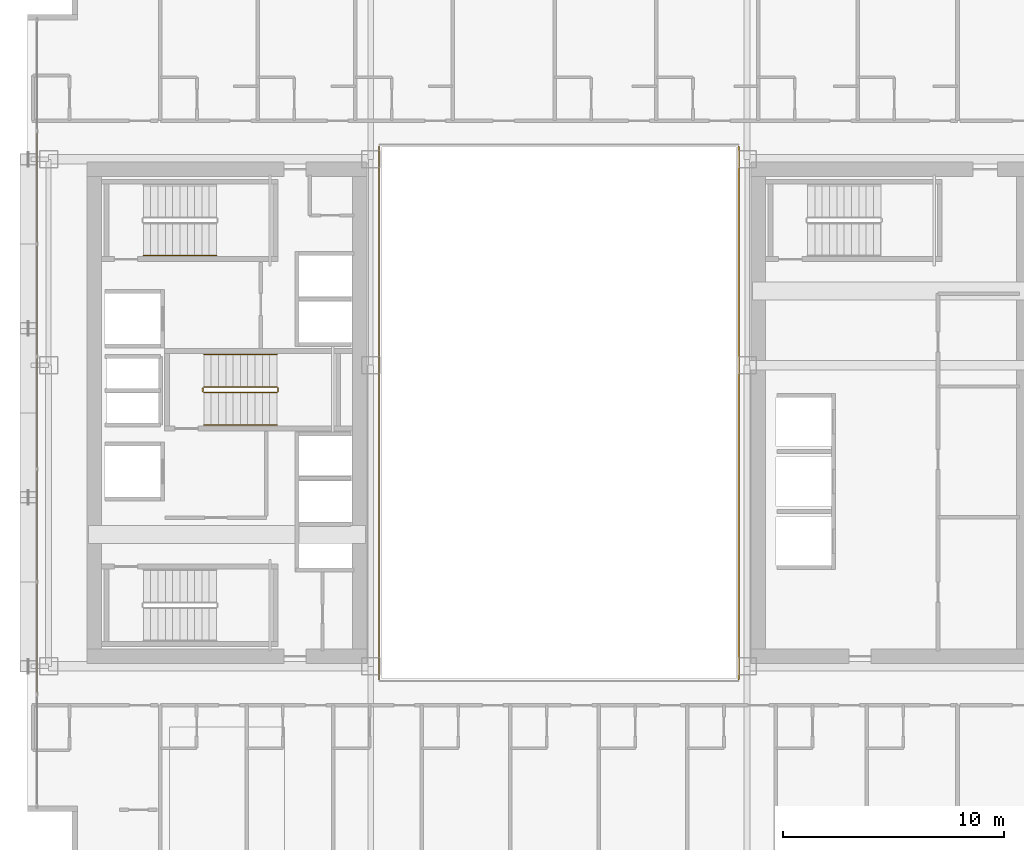
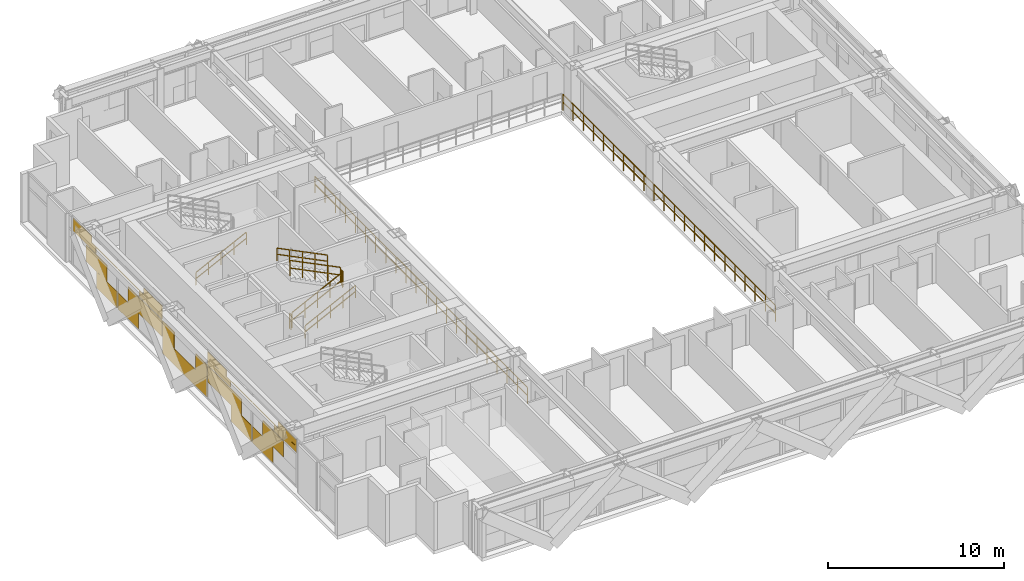
# One storey, part 34 of 36: 9 railings, 1 covering.
"""IFC4 building model written with IfcOpenShell, lengths in metres."""

from ifc_helpers import new_model, si_unit, direction, frame, origin, origin_2d, place, context, subcontext, project, spatial, rectangle, extrude, material, layer, layer_set, type_object, element, save


model = new_model("IFC4")

# Units and contexts
model_context = context("Model", 3, precision=1e-05, world=origin(), true_north=direction((0.0, 1.0)))
body_context = subcontext(model_context, "Body", "Model", "MODEL_VIEW")
ifc_project = project(units=[si_unit("LENGTHUNIT", "METRE"), si_unit("AREAUNIT", "SQUARE_METRE"), si_unit("VOLUMEUNIT", "CUBIC_METRE"), si_unit("PLANEANGLEUNIT", "RADIAN"), si_unit("MASSUNIT", "GRAM", prefix="KILO")], contexts=[model_context])

# Site, building, storey
site_placement = place(None, origin())
site = spatial("IfcSite", under=ifc_project, at=site_placement, CompositionType="ELEMENT")
building_placement = place(site_placement, origin())
building = spatial("IfcBuilding", under=site, at=building_placement, Name="Ocotamira Hotel", CompositionType="ELEMENT")
storey_placement = place(building_placement, frame((0.0, 0.0, 136.800048828125)))
storey = spatial("IfcBuildingStorey", under=building, at=storey_placement, Name="L34", CompositionType="ELEMENT", Elevation=136.800048828125)

# Covering
ifc_material_1 = material(Name="Insulated pale-metal aluminium spandrel panel", Category="aluminium")
ifc_layer = layer(ifc_material_1, 0.044921875)
ifc_layer_set = layer_set([ifc_layer], Name="Insulated pale-metal aluminium spandrel panel")
covering_type = type_object("IfcCoveringType", Name="COV-INFILL-45", PredefinedType="CLADDING", material=ifc_layer_set)
covering_placement = place(storey_placement, origin())
element("IfcCovering", 1, at=covering_placement, inside=storey, type_object=covering_type, Name="L34 Curtain Wall Infill CW-3 CW-L34-W", PredefinedType="CLADDING", context=body_context, shape_type="SweptSolid", body=[
    extrude(rectangle(XDim=2.35107421875, YDim=0.044921875, at=origin_2d()), frame((8.419921875, 15.988525390625, 1.19384765625), z_axis=(0.0, 0.0, 1.0), x_axis=(0.0, 1.0, 0.0)), (0.0, 0.0, 1.0), 1.117919921875),
    extrude(rectangle(XDim=2.331787109375, YDim=0.044921875, at=origin_2d()), frame((8.419921875, 17.1650390625, 0.0751953125), z_axis=(0.0, 0.0, 1.0), x_axis=(0.0, 1.0, 0.0)), (0.0, 0.0, 1.0), 1.117919921875),
    extrude(rectangle(XDim=2.572265625, YDim=0.044921875, at=origin_2d()), frame((8.419921875, 14.6123046875, 2.38818359375), z_axis=(0.0, 0.0, 1.0), x_axis=(0.0, 1.0, 0.0)), (0.0, 0.0, 1.0), 0.413330078125),
    extrude(rectangle(XDim=5.004638671875, YDim=0.044921875, at=origin_2d()), frame((8.419921875, 15.82861328125, 2.80224609375), z_axis=(0.0, 0.0, 1.0), x_axis=(0.0, 1.0, 0.0)), (0.0, 0.0, 1.0), 0.033203125),
    extrude(rectangle(XDim=2.096435546875, YDim=0.044921875, at=origin_2d()), frame((8.419921875, 14.37451171875, 2.836669921875), z_axis=(0.0, 0.0, 1.0), x_axis=(0.0, 1.0, 0.0)), (0.0, 0.0, 1.0), 0.44775390625),
    extrude(rectangle(XDim=2.322265625, YDim=0.044921875, at=origin_2d()), frame((8.419921875, 19.572998046875, 0.0751953125), z_axis=(0.0, 0.0, 1.0), x_axis=(0.0, 1.0, 0.0)), (0.0, 0.0, 1.0), 1.117919921875),
    extrude(rectangle(XDim=3.847412109375, YDim=0.044921875, at=origin_2d()), frame((8.419921875, 21.492919921875, 1.19384765625), z_axis=(0.0, 0.0, 1.0), x_axis=(0.0, 1.0, 0.0)), (0.0, 0.0, 1.0), 1.117919921875),
    extrude(rectangle(XDim=5.004638671875, YDim=0.044921875, at=origin_2d()), frame((8.419921875, 20.914306640625, 2.80224609375), z_axis=(0.0, 0.0, 1.0), x_axis=(0.0, 1.0, 0.0)), (0.0, 0.0, 1.0), 0.033203125),
    extrude(rectangle(XDim=2.581787109375, YDim=0.044921875, at=origin_2d()), frame((8.419921875, 22.125732421875, 2.38818359375), z_axis=(0.0, 0.0, 1.0), x_axis=(0.0, 1.0, 0.0)), (0.0, 0.0, 1.0), 0.413330078125),
    extrude(rectangle(XDim=2.106201171875, YDim=0.044921875, at=origin_2d()), frame((8.419921875, 22.363525390625, 2.836669921875), z_axis=(0.0, 0.0, 1.0), x_axis=(0.0, 1.0, 0.0)), (0.0, 0.0, 1.0), 0.44775390625),
    extrude(rectangle(XDim=5.004638671875, YDim=0.044921875, at=origin_2d()), frame((8.419921875, 26.0, 0.0751953125), z_axis=(0.0, 0.0, 1.0), x_axis=(0.0, 1.0, 0.0)), (0.0, 0.0, 1.0), 1.117919921875),
    extrude(rectangle(XDim=1.2998046875, YDim=0.044921875, at=origin_2d()), frame((8.419921875, 24.1474609375, 1.19384765625), z_axis=(0.0, 0.0, 1.0), x_axis=(0.0, 1.0, 0.0)), (0.0, 0.0, 1.0), 1.117919921875),
    extrude(rectangle(XDim=1.2998046875, YDim=0.044921875, at=origin_2d()), frame((8.419921875, 27.8525390625, 1.19384765625), z_axis=(0.0, 0.0, 1.0), x_axis=(0.0, 1.0, 0.0)), (0.0, 0.0, 1.0), 1.117919921875),
    extrude(rectangle(XDim=3.847412109375, YDim=0.044921875, at=origin_2d()), frame((8.419921875, 30.507080078125, 1.19384765625), z_axis=(0.0, 0.0, 1.0), x_axis=(0.0, 1.0, 0.0)), (0.0, 0.0, 1.0), 1.117919921875),
    extrude(rectangle(XDim=2.322265625, YDim=0.044921875, at=origin_2d()), frame((8.419921875, 32.427001953125, 0.0751953125), z_axis=(0.0, 0.0, 1.0), x_axis=(0.0, 1.0, 0.0)), (0.0, 0.0, 1.0), 1.117919921875),
    extrude(rectangle(XDim=2.581787109375, YDim=0.044921875, at=origin_2d()), frame((8.419921875, 29.874267578125, 2.38818359375), z_axis=(0.0, 0.0, 1.0), x_axis=(0.0, 1.0, 0.0)), (0.0, 0.0, 1.0), 0.413330078125),
    extrude(rectangle(XDim=5.004638671875, YDim=0.044921875, at=origin_2d()), frame((8.419921875, 31.085693359375, 2.80224609375), z_axis=(0.0, 0.0, 1.0), x_axis=(0.0, 1.0, 0.0)), (0.0, 0.0, 1.0), 0.033203125),
    extrude(rectangle(XDim=2.106201171875, YDim=0.044921875, at=origin_2d()), frame((8.419921875, 29.636474609375, 2.836669921875), z_axis=(0.0, 0.0, 1.0), x_axis=(0.0, 1.0, 0.0)), (0.0, 0.0, 1.0), 0.44775390625),
    extrude(rectangle(XDim=2.331787109375, YDim=0.044921875, at=origin_2d()), frame((8.419921875, 34.8349609375, 0.0751953125), z_axis=(0.0, 0.0, 1.0), x_axis=(0.0, 1.0, 0.0)), (0.0, 0.0, 1.0), 1.117919921875),
    extrude(rectangle(XDim=2.35107421875, YDim=0.044921875, at=origin_2d()), frame((8.419921875, 36.011474609375, 1.19384765625), z_axis=(0.0, 0.0, 1.0), x_axis=(0.0, 1.0, 0.0)), (0.0, 0.0, 1.0), 1.117919921875),
    extrude(rectangle(XDim=5.004638671875, YDim=0.044921875, at=origin_2d()), frame((8.419921875, 36.17138671875, 2.80224609375), z_axis=(0.0, 0.0, 1.0), x_axis=(0.0, 1.0, 0.0)), (0.0, 0.0, 1.0), 0.033203125),
    extrude(rectangle(XDim=2.572265625, YDim=0.044921875, at=origin_2d()), frame((8.419921875, 37.3876953125, 2.38818359375), z_axis=(0.0, 0.0, 1.0), x_axis=(0.0, 1.0, 0.0)), (0.0, 0.0, 1.0), 0.413330078125),
    extrude(rectangle(XDim=2.096435546875, YDim=0.044921875, at=origin_2d()), frame((8.419921875, 37.62548828125, 2.836669921875), z_axis=(0.0, 0.0, 1.0), x_axis=(0.0, 1.0, 0.0)), (0.0, 0.0, 1.0), 0.44775390625),
])

# Railings
ifc_material_2 = material(Name="Painted steel stair guardrail", Category="steel")
railing_type_1 = type_object("IfcRailingType", Name="RL-EDGE-1150", PredefinedType="GUARDRAIL", material=ifc_material_2)
railing_1_placement = place(storey_placement, frame((40.1201171875, 13.9599609375, 0.0)))
element("IfcRailing", 2, at=railing_1_placement, inside=storey, type_object=railing_type_1, Name="L34 Central Atrium Edge Guardrail E", PredefinedType="GUARDRAIL", context=body_context, shape_type="SweptSolid", body=[
    extrude(rectangle(XDim=0.048095703125, YDim=0.048095703125, at=origin_2d()), frame((0.0, 0.0, 1.1259765625), z_axis=(0.0, 1.0, 0.0), x_axis=(-1.0, 0.0, 0.0)), (0.0, 0.0, 1.0), 24.080078125),
    extrude(rectangle(XDim=0.048095703125, YDim=0.048095703125, at=origin_2d()), frame((0.0, 0.0, 0.574951171875), z_axis=(0.0, 1.0, 0.0), x_axis=(-1.0, 0.0, 0.0)), (0.0, 0.0, 1.0), 24.080078125),
    extrude(rectangle(XDim=0.0419921875, YDim=0.0419921875, at=origin_2d()), origin(), (0.0, 0.0, 1.0), 1.101806640625),
    extrude(rectangle(XDim=0.0419921875, YDim=0.0419921875, at=origin_2d()), frame((0.0, 1.146728515625, 0.0)), (0.0, 0.0, 1.0), 1.101806640625),
    extrude(rectangle(XDim=0.0419921875, YDim=0.0419921875, at=origin_2d()), frame((0.0, 2.29345703125, 0.0)), (0.0, 0.0, 1.0), 1.101806640625),
    extrude(rectangle(XDim=0.0419921875, YDim=0.0419921875, at=origin_2d()), frame((0.0, 3.43994140625, 0.0)), (0.0, 0.0, 1.0), 1.101806640625),
    extrude(rectangle(XDim=0.0419921875, YDim=0.0419921875, at=origin_2d()), frame((0.0, 4.586669921875, 0.0)), (0.0, 0.0, 1.0), 1.101806640625),
    extrude(rectangle(XDim=0.0419921875, YDim=0.0419921875, at=origin_2d()), frame((0.0, 5.7333984375, 0.0)), (0.0, 0.0, 1.0), 1.101806640625),
    extrude(rectangle(XDim=0.0419921875, YDim=0.0419921875, at=origin_2d()), frame((0.0, 6.880126953125, 0.0)), (0.0, 0.0, 1.0), 1.101806640625),
    extrude(rectangle(XDim=0.0419921875, YDim=0.0419921875, at=origin_2d()), frame((0.0, 8.026611328125, 0.0)), (0.0, 0.0, 1.0), 1.101806640625),
    extrude(rectangle(XDim=0.0419921875, YDim=0.0419921875, at=origin_2d()), frame((0.0, 9.17333984375, 0.0)), (0.0, 0.0, 1.0), 1.101806640625),
    extrude(rectangle(XDim=0.0419921875, YDim=0.0419921875, at=origin_2d()), frame((0.0, 10.320068359375, 0.0)), (0.0, 0.0, 1.0), 1.101806640625),
    extrude(rectangle(XDim=0.0419921875, YDim=0.0419921875, at=origin_2d()), frame((0.0, 11.466796875, 0.0)), (0.0, 0.0, 1.0), 1.101806640625),
    extrude(rectangle(XDim=0.0419921875, YDim=0.0419921875, at=origin_2d()), frame((0.0, 12.61328125, 0.0)), (0.0, 0.0, 1.0), 1.101806640625),
    extrude(rectangle(XDim=0.0419921875, YDim=0.0419921875, at=origin_2d()), frame((0.0, 13.760009765625, 0.0)), (0.0, 0.0, 1.0), 1.101806640625),
    extrude(rectangle(XDim=0.0419921875, YDim=0.0419921875, at=origin_2d()), frame((0.0, 14.90673828125, 0.0)), (0.0, 0.0, 1.0), 1.101806640625),
    extrude(rectangle(XDim=0.0419921875, YDim=0.0419921875, at=origin_2d()), frame((0.0, 16.053466796875, 0.0)), (0.0, 0.0, 1.0), 1.101806640625),
    extrude(rectangle(XDim=0.0419921875, YDim=0.0419921875, at=origin_2d()), frame((0.0, 17.199951171875, 0.0)), (0.0, 0.0, 1.0), 1.101806640625),
    extrude(rectangle(XDim=0.0419921875, YDim=0.0419921875, at=origin_2d()), frame((0.0, 18.3466796875, 0.0)), (0.0, 0.0, 1.0), 1.101806640625),
    extrude(rectangle(XDim=0.0419921875, YDim=0.0419921875, at=origin_2d()), frame((0.0, 19.493408203125, 0.0)), (0.0, 0.0, 1.0), 1.101806640625),
    extrude(rectangle(XDim=0.0419921875, YDim=0.0419921875, at=origin_2d()), frame((0.0, 20.64013671875, 0.0)), (0.0, 0.0, 1.0), 1.101806640625),
    extrude(rectangle(XDim=0.0419921875, YDim=0.0419921875, at=origin_2d()), frame((0.0, 21.78662109375, 0.0)), (0.0, 0.0, 1.0), 1.101806640625),
    extrude(rectangle(XDim=0.0419921875, YDim=0.0419921875, at=origin_2d()), frame((0.0, 22.933349609375, 0.0)), (0.0, 0.0, 1.0), 1.101806640625),
    extrude(rectangle(XDim=0.0419921875, YDim=0.0419921875, at=origin_2d()), frame((0.0, 24.080078125, 0.0)), (0.0, 0.0, 1.0), 1.101806640625),
])
railing_2_placement = place(storey_placement, frame((23.8798828125, 38.0400390625, 0.0)))
element("IfcRailing", 3, at=railing_2_placement, inside=storey, type_object=railing_type_1, Name="L34 Central Atrium Edge Guardrail W", PredefinedType="GUARDRAIL", context=body_context, shape_type="SweptSolid", body=[
    extrude(rectangle(XDim=0.048095703125, YDim=0.048095703125, at=origin_2d()), frame((0.0, 0.0, 1.1259765625), z_axis=(0.0, -1.0, 0.0), x_axis=(1.0, 0.0, 0.0)), (0.0, 0.0, 1.0), 24.080078125),
    extrude(rectangle(XDim=0.048095703125, YDim=0.048095703125, at=origin_2d()), frame((0.0, 0.0, 0.574951171875), z_axis=(0.0, -1.0, 0.0), x_axis=(1.0, 0.0, 0.0)), (0.0, 0.0, 1.0), 24.080078125),
    extrude(rectangle(XDim=0.0419921875, YDim=0.0419921875, at=origin_2d()), origin(), (0.0, 0.0, 1.0), 1.101806640625),
    extrude(rectangle(XDim=0.0419921875, YDim=0.0419921875, at=origin_2d()), frame((0.0, -1.146728515625, 0.0)), (0.0, 0.0, 1.0), 1.101806640625),
    extrude(rectangle(XDim=0.0419921875, YDim=0.0419921875, at=origin_2d()), frame((0.0, -2.29345703125, 0.0)), (0.0, 0.0, 1.0), 1.101806640625),
    extrude(rectangle(XDim=0.0419921875, YDim=0.0419921875, at=origin_2d()), frame((0.0, -3.43994140625, 0.0)), (0.0, 0.0, 1.0), 1.101806640625),
    extrude(rectangle(XDim=0.0419921875, YDim=0.0419921875, at=origin_2d()), frame((0.0, -4.586669921875, 0.0)), (0.0, 0.0, 1.0), 1.101806640625),
    extrude(rectangle(XDim=0.0419921875, YDim=0.0419921875, at=origin_2d()), frame((0.0, -5.7333984375, 0.0)), (0.0, 0.0, 1.0), 1.101806640625),
    extrude(rectangle(XDim=0.0419921875, YDim=0.0419921875, at=origin_2d()), frame((0.0, -6.880126953125, 0.0)), (0.0, 0.0, 1.0), 1.101806640625),
    extrude(rectangle(XDim=0.0419921875, YDim=0.0419921875, at=origin_2d()), frame((0.0, -8.026611328125, 0.0)), (0.0, 0.0, 1.0), 1.101806640625),
    extrude(rectangle(XDim=0.0419921875, YDim=0.0419921875, at=origin_2d()), frame((0.0, -9.17333984375, 0.0)), (0.0, 0.0, 1.0), 1.101806640625),
    extrude(rectangle(XDim=0.0419921875, YDim=0.0419921875, at=origin_2d()), frame((0.0, -10.320068359375, 0.0)), (0.0, 0.0, 1.0), 1.101806640625),
    extrude(rectangle(XDim=0.0419921875, YDim=0.0419921875, at=origin_2d()), frame((0.0, -11.466796875, 0.0)), (0.0, 0.0, 1.0), 1.101806640625),
    extrude(rectangle(XDim=0.0419921875, YDim=0.0419921875, at=origin_2d()), frame((0.0, -12.61328125, 0.0)), (0.0, 0.0, 1.0), 1.101806640625),
    extrude(rectangle(XDim=0.0419921875, YDim=0.0419921875, at=origin_2d()), frame((0.0, -13.760009765625, 0.0)), (0.0, 0.0, 1.0), 1.101806640625),
    extrude(rectangle(XDim=0.0419921875, YDim=0.0419921875, at=origin_2d()), frame((0.0, -14.90673828125, 0.0)), (0.0, 0.0, 1.0), 1.101806640625),
    extrude(rectangle(XDim=0.0419921875, YDim=0.0419921875, at=origin_2d()), frame((0.0, -16.053466796875, 0.0)), (0.0, 0.0, 1.0), 1.101806640625),
    extrude(rectangle(XDim=0.0419921875, YDim=0.0419921875, at=origin_2d()), frame((0.0, -17.199951171875, 0.0)), (0.0, 0.0, 1.0), 1.101806640625),
    extrude(rectangle(XDim=0.0419921875, YDim=0.0419921875, at=origin_2d()), frame((0.0, -18.3466796875, 0.0)), (0.0, 0.0, 1.0), 1.101806640625),
    extrude(rectangle(XDim=0.0419921875, YDim=0.0419921875, at=origin_2d()), frame((0.0, -19.493408203125, 0.0)), (0.0, 0.0, 1.0), 1.101806640625),
    extrude(rectangle(XDim=0.0419921875, YDim=0.0419921875, at=origin_2d()), frame((0.0, -20.64013671875, 0.0)), (0.0, 0.0, 1.0), 1.101806640625),
    extrude(rectangle(XDim=0.0419921875, YDim=0.0419921875, at=origin_2d()), frame((0.0, -21.78662109375, 0.0)), (0.0, 0.0, 1.0), 1.101806640625),
    extrude(rectangle(XDim=0.0419921875, YDim=0.0419921875, at=origin_2d()), frame((0.0, -22.933349609375, 0.0)), (0.0, 0.0, 1.0), 1.101806640625),
    extrude(rectangle(XDim=0.0419921875, YDim=0.0419921875, at=origin_2d()), frame((0.0, -24.080078125, 0.0)), (0.0, 0.0, 1.0), 1.101806640625),
])
ifc_material_3 = material(Name="Brushed stainless steel handrail", Category="steel")
railing_type_2 = type_object("IfcRailingType", Name="RL-HAND-900", PredefinedType="HANDRAIL", material=ifc_material_3)
for number, where, name in (
    (4, (13.22998046875, 33.10009765625, 0.3271484375), "L34 ST-2 stair handrail 1"),
    (5, (15.9599609375, 25.449951171875, 0.3271484375), "L34 ST-3 stair handrail 1"),
):
    element("IfcRailing", number, at=place(storey_placement, frame(where)), inside=storey, type_object=railing_type_2, Name=name, PredefinedType="HANDRAIL", context=body_context, shape_type="SweptSolid", body=[
        extrude(rectangle(XDim=0.048095703125, YDim=0.048095703125, at=origin_2d()), frame((0.0, 0.0, 0.8759765625), z_axis=(0.895893744519, 0.0, 0.4442683857), x_axis=(0.0, 1.0, 0.0)), (0.0, 0.0, 1.0), 3.68359375),
        extrude(rectangle(XDim=0.048095703125, YDim=0.048095703125, at=origin_2d()), frame((0.0, 0.0, 0.449951171875), z_axis=(0.895893744519, 0.0, 0.4442683857), x_axis=(0.0, 1.0, 0.0)), (0.0, 0.0, 1.0), 3.68359375),
        extrude(rectangle(XDim=0.0419921875, YDim=0.0419921875, at=origin_2d()), origin(), (0.0, 0.0, 1.0), 0.851806640625),
        extrude(rectangle(XDim=0.0419921875, YDim=0.0419921875, at=origin_2d()), frame((0.824951171875, 0.0, 0.4091796875)), (0.0, 0.0, 1.0), 0.851806640625),
        extrude(rectangle(XDim=0.0419921875, YDim=0.0419921875, at=origin_2d()), frame((1.64990234375, 0.0, 0.818359375)), (0.0, 0.0, 1.0), 0.851806640625),
        extrude(rectangle(XDim=0.0419921875, YDim=0.0419921875, at=origin_2d()), frame((2.47509765625, 0.0, 1.227294921875)), (0.0, 0.0, 1.0), 0.851806640625),
        extrude(rectangle(XDim=0.0419921875, YDim=0.0419921875, at=origin_2d()), frame((3.300048828125, 0.0, 1.636474609375)), (0.0, 0.0, 1.0), 0.851806640625),
    ])
railing_3_placement = place(storey_placement, frame((19.260009765625, 28.6298828125, 2.127197265625)))
element("IfcRailing", 6, at=railing_3_placement, inside=storey, type_object=railing_type_2, Name="L34 ST-3 stair handrail 2", PredefinedType="HANDRAIL", context=body_context, shape_type="SweptSolid", body=[
    extrude(rectangle(XDim=0.048095703125, YDim=0.048095703125, at=origin_2d()), frame((0.0, 0.0, 0.8759765625), z_axis=(-0.895893744519, 0.0, 0.4442683857), x_axis=(0.0, -1.0, 0.0)), (0.0, 0.0, 1.0), 3.68359375),
    extrude(rectangle(XDim=0.048095703125, YDim=0.048095703125, at=origin_2d()), frame((0.0, 0.0, 0.449951171875), z_axis=(-0.895893744519, 0.0, 0.4442683857), x_axis=(0.0, -1.0, 0.0)), (0.0, 0.0, 1.0), 3.68359375),
    extrude(rectangle(XDim=0.0419921875, YDim=0.0419921875, at=origin_2d()), origin(), (0.0, 0.0, 1.0), 0.851806640625),
    extrude(rectangle(XDim=0.0419921875, YDim=0.0419921875, at=origin_2d()), frame((-0.824951171875, 0.0, 0.4091796875)), (0.0, 0.0, 1.0), 0.851806640625),
    extrude(rectangle(XDim=0.0419921875, YDim=0.0419921875, at=origin_2d()), frame((-1.64990234375, 0.0, 0.818359375)), (0.0, 0.0, 1.0), 0.851806640625),
    extrude(rectangle(XDim=0.0419921875, YDim=0.0419921875, at=origin_2d()), frame((-2.47509765625, 0.0, 1.227294921875)), (0.0, 0.0, 1.0), 0.851806640625),
    extrude(rectangle(XDim=0.0419921875, YDim=0.0419921875, at=origin_2d()), frame((-3.300048828125, 0.0, 1.636474609375)), (0.0, 0.0, 1.0), 0.851806640625),
])
railing_type_3 = type_object("IfcRailingType", Name="RL-STAIR-1100", PredefinedType="GUARDRAIL", material=ifc_material_2)
railing_4_placement = place(storey_placement, frame((15.9599609375, 26.909912109375, 0.16357421875)))
element("IfcRailing", 7, at=railing_4_placement, inside=storey, type_object=railing_type_3, Name="L34 ST-3 stair guard 1", PredefinedType="GUARDRAIL", context=body_context, shape_type="SweptSolid", body=[
    extrude(rectangle(XDim=0.048095703125, YDim=0.048095703125, at=origin_2d()), frame((0.0, 0.0, 1.076171875), z_axis=(0.895893744519, 0.0, 0.4442683857), x_axis=(0.0, 1.0, 0.0)), (0.0, 0.0, 1.0), 3.68359375),
    extrude(rectangle(XDim=0.048095703125, YDim=0.048095703125, at=origin_2d()), frame((0.0, 0.0, 0.550048828125), z_axis=(0.895893744519, 0.0, 0.4442683857), x_axis=(0.0, 1.0, 0.0)), (0.0, 0.0, 1.0), 3.68359375),
    extrude(rectangle(XDim=0.0419921875, YDim=0.0419921875, at=origin_2d()), origin(), (0.0, 0.0, 1.0), 1.052001953125),
    extrude(rectangle(XDim=0.0419921875, YDim=0.0419921875, at=origin_2d()), frame((0.824951171875, 0.0, 0.4091796875)), (0.0, 0.0, 1.0), 1.052001953125),
    extrude(rectangle(XDim=0.0419921875, YDim=0.0419921875, at=origin_2d()), frame((1.64990234375, 0.0, 0.818359375)), (0.0, 0.0, 1.0), 1.052001953125),
    extrude(rectangle(XDim=0.0419921875, YDim=0.0419921875, at=origin_2d()), frame((2.47509765625, 0.0, 1.227294921875)), (0.0, 0.0, 1.0), 1.052001953125),
    extrude(rectangle(XDim=0.0419921875, YDim=0.0419921875, at=origin_2d()), frame((3.300048828125, 0.0, 1.636474609375)), (0.0, 0.0, 1.0), 1.052001953125),
])
railing_5_placement = place(storey_placement, frame((19.31005859375, 26.9599609375, 1.800048828125)))
element("IfcRailing", 8, at=railing_5_placement, inside=storey, type_object=railing_type_3, Name="L34 ST-3 stair guard 2", PredefinedType="GUARDRAIL", context=body_context, shape_type="SweptSolid", body=[
    extrude(rectangle(XDim=0.048095703125, YDim=0.048095703125, at=origin_2d()), frame((0.0, 0.0, 1.076171875), z_axis=(0.0, 1.0, 0.0), x_axis=(-1.0, 0.0, 0.0)), (0.0, 0.0, 1.0), 0.16015625),
    extrude(rectangle(XDim=0.048095703125, YDim=0.048095703125, at=origin_2d()), frame((0.0, 0.0, 0.550048828125), z_axis=(0.0, 1.0, 0.0), x_axis=(-1.0, 0.0, 0.0)), (0.0, 0.0, 1.0), 0.16015625),
    extrude(rectangle(XDim=0.0419921875, YDim=0.0419921875, at=origin_2d()), origin(), (0.0, 0.0, 1.0), 1.052001953125),
    extrude(rectangle(XDim=0.0419921875, YDim=0.0419921875, at=origin_2d()), frame((0.0, 0.16015625, 0.0)), (0.0, 0.0, 1.0), 1.052001953125),
])
railing_6_placement = place(storey_placement, frame((19.260009765625, 27.169921875, 1.963623046875)))
element("IfcRailing", 9, at=railing_6_placement, inside=storey, type_object=railing_type_3, Name="L34 ST-3 stair guard 3", PredefinedType="GUARDRAIL", context=body_context, shape_type="SweptSolid", body=[
    extrude(rectangle(XDim=0.048095703125, YDim=0.048095703125, at=origin_2d()), frame((0.0, 0.0, 1.076171875), z_axis=(-0.895920123917, 0.0, 0.444215186098), x_axis=(0.0, -1.0, 0.0)), (0.0, 0.0, 1.0), 3.683349609375),
    extrude(rectangle(XDim=0.048095703125, YDim=0.048095703125, at=origin_2d()), frame((0.0, 0.0, 0.550048828125), z_axis=(-0.895920123917, 0.0, 0.444215186098), x_axis=(0.0, -1.0, 0.0)), (0.0, 0.0, 1.0), 3.683349609375),
    extrude(rectangle(XDim=0.0419921875, YDim=0.0419921875, at=origin_2d()), origin(), (0.0, 0.0, 1.0), 1.052001953125),
    extrude(rectangle(XDim=0.0419921875, YDim=0.0419921875, at=origin_2d()), frame((-0.824951171875, 0.0, 0.4091796875)), (0.0, 0.0, 1.0), 1.052001953125),
    extrude(rectangle(XDim=0.0419921875, YDim=0.0419921875, at=origin_2d()), frame((-1.64990234375, 0.0, 0.818115234375)), (0.0, 0.0, 1.0), 1.052001953125),
    extrude(rectangle(XDim=0.0419921875, YDim=0.0419921875, at=origin_2d()), frame((-2.47509765625, 0.0, 1.22705078125)), (0.0, 0.0, 1.0), 1.052001953125),
    extrude(rectangle(XDim=0.0419921875, YDim=0.0419921875, at=origin_2d()), frame((-3.300048828125, 0.0, 1.63623046875)), (0.0, 0.0, 1.0), 1.052001953125),
])
railing_7_placement = place(storey_placement, frame((15.909912109375, 26.9599609375, 0.0)))
element("IfcRailing", 10, at=railing_7_placement, inside=storey, type_object=railing_type_3, Name="L34 ST-3 stair guard 4", PredefinedType="GUARDRAIL", context=body_context, shape_type="SweptSolid", body=[
    extrude(rectangle(XDim=0.048095703125, YDim=0.048095703125, at=origin_2d()), frame((0.0, 0.0, 1.076171875), z_axis=(0.0, 1.0, 0.0), x_axis=(-1.0, 0.0, 0.0)), (0.0, 0.0, 1.0), 0.16015625),
    extrude(rectangle(XDim=0.048095703125, YDim=0.048095703125, at=origin_2d()), frame((0.0, 0.0, 0.550048828125), z_axis=(0.0, 1.0, 0.0), x_axis=(-1.0, 0.0, 0.0)), (0.0, 0.0, 1.0), 0.16015625),
    extrude(rectangle(XDim=0.0419921875, YDim=0.0419921875, at=origin_2d()), origin(), (0.0, 0.0, 1.0), 1.052001953125),
    extrude(rectangle(XDim=0.0419921875, YDim=0.0419921875, at=origin_2d()), frame((0.0, 0.16015625, 0.0)), (0.0, 0.0, 1.0), 1.052001953125),
])

save(model, "model.ifc")
